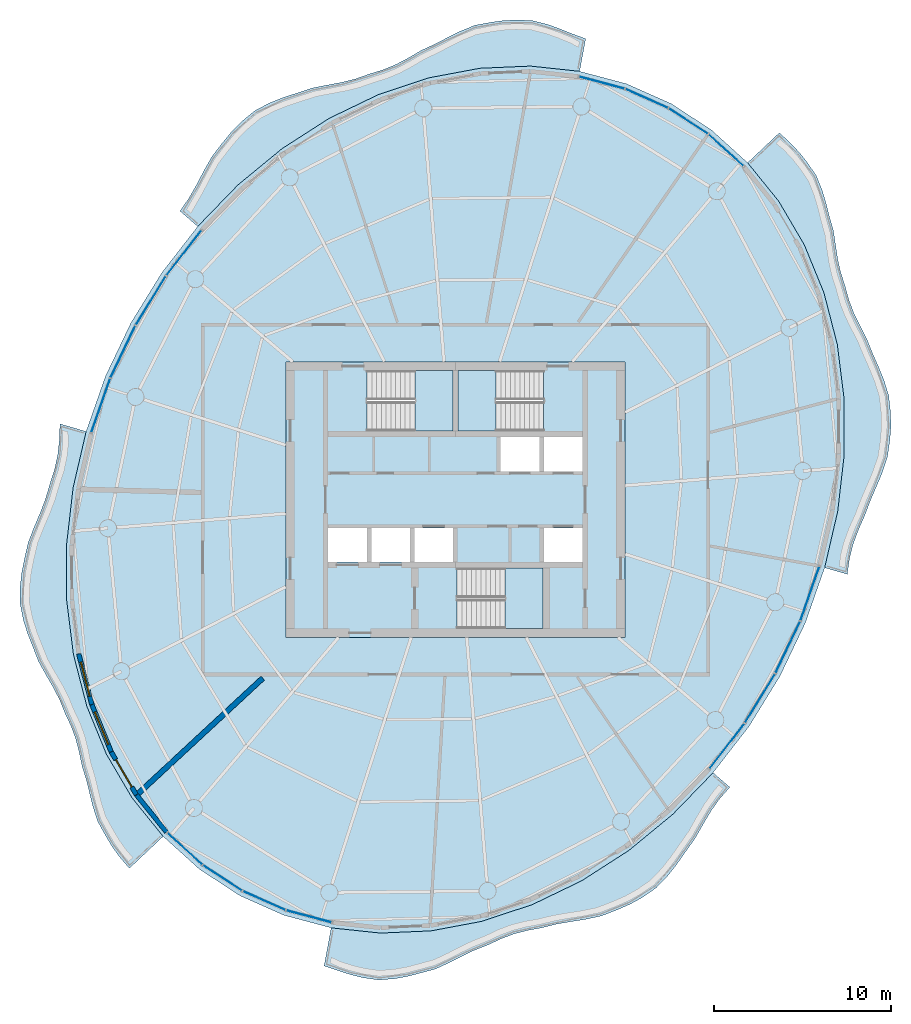
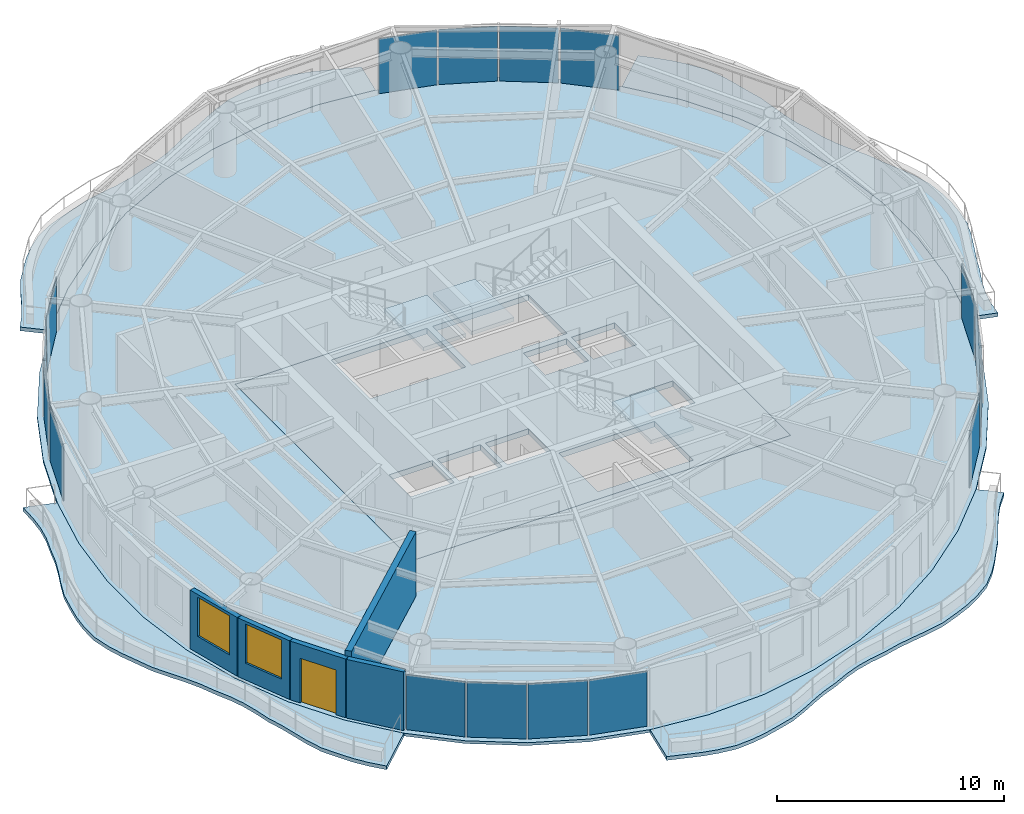
# One storey, part 6 of 13: 16 plates, 9 slabs, 5 walls, 2 windows, 1 door, 3 openings, 19 elements without a shape of their own.
"""IFC4 building model written with IfcOpenShell, lengths in metres."""

from ifc_helpers import new_model, si_unit, direction, frame, frame_2d, origin, origin_2d, place, context, subcontext, project, spatial, polyline, rectangle, outline, extrude, material, layer, layer_set, type_object, element, fill, aggregate, save


model = new_model("IFC4")

# Units and contexts
model_context = context("Model", 3, precision=1e-05, world=origin(), true_north=direction((0.0, 1.0)))
body_context = subcontext(model_context, "Body", "Model", "MODEL_VIEW")
ifc_project = project(units=[si_unit("LENGTHUNIT", "METRE"), si_unit("AREAUNIT", "SQUARE_METRE"), si_unit("VOLUMEUNIT", "CUBIC_METRE"), si_unit("PLANEANGLEUNIT", "RADIAN"), si_unit("MASSUNIT", "GRAM", prefix="KILO")], contexts=[model_context])

# Site, building, storey
site_placement = place(None, origin())
site = spatial("IfcSite", under=ifc_project, at=site_placement, CompositionType="ELEMENT")
building_placement = place(site_placement, origin())
building = spatial("IfcBuilding", under=site, at=building_placement, Name="Vermilion Reach Broadcast Tower", CompositionType="ELEMENT")
storey_placement = place(building_placement, frame((0.0, 0.0, 279.300048828125)))
storey = spatial("IfcBuildingStorey", under=building, at=storey_placement, Name="L69", CompositionType="ELEMENT", Elevation=279.300048828125)

# Slabs
ifc_material_1 = material(Name="Concrete C40/50", Category="concrete")
ifc_layer_1 = layer(ifc_material_1, 0.199951171875)
ifc_layer_set_1 = layer_set([ifc_layer_1], Name="Balcony slab 200")
slab_type_1 = type_object("IfcSlabType", Name="Balcony slab 200", PredefinedType="FLOOR", material=ifc_layer_set_1)
placement_1 = place(storey_placement, frame((0.0, 0.0, -0.199951171875)))
element("IfcSlab", 1, at=placement_1, inside=storey, type_object=slab_type_1, Name="Balcony slab L69 group 1", PredefinedType="FLOOR", context=body_context, shape_type="SweptSolid", body=[
    extrude(outline(polyline([(1.03125, 24.23974609375), (-1.7568359375, 24.53564453125), (-4.61767578125, 24.41162109375), (-7.502197265625, 23.8701171875), (-10.36083984375, 22.920166015625), (-13.14501953125, 21.577880859375), (-15.806884765625, 19.866455078125), (-18.301025390625, 17.815185546875), (-20.584716796875, 15.459228515625), (-21.587646484375, 16.329833984375), (-21.074462890625, 17.076171875), (-20.655029296875, 17.81201171875), (-20.25927734375, 18.57080078125), (-19.779541015625, 19.41943359375), (-19.197265625, 20.176025390625), (-18.67529296875, 20.812255859375), (-18.1064453125, 21.3916015625), (-17.364501953125, 22.003662109375), (-16.525390625, 22.447021484375), (-15.77734375, 22.746337890625), (-15.000244140625, 23.00048828125), (-14.10595703125, 23.294677734375), (-13.200927734375, 23.47314453125), (-12.414794921875, 23.62158203125), (-11.6494140625, 23.813232421875), (-10.839111328125, 24.099853515625), (-10.041259765625, 24.346435546875), (-9.344482421875, 24.637939453125), (-8.66943359375, 24.994384765625), (-7.90771484375, 25.437744140625), (-7.117919921875, 25.80029296875), (-6.43798828125, 26.15478515625), (-5.75634765625, 26.499755859375), (-4.8974609375, 26.845458984375), (-4.013671875, 27.012451171875), (-3.301513671875, 27.11181640625), (-2.58642578125, 27.14453125), (-1.67626953125, 27.118408203125), (-0.80078125, 26.90185546875), (-0.12158203125, 26.6591796875), (0.55419921875, 26.3857421875), (1.372802734375, 26.08447265625), (1.03125, 24.23974609375)])), origin(), (0.0, 0.0, 1.0), 0.199951171875),
])
element("IfcSlab", 2, at=placement_1, inside=storey, type_object=slab_type_1, Name="Balcony slab L69 group 2", PredefinedType="FLOOR", context=body_context, shape_type="SweptSolid", body=[
    extrude(outline(polyline([(-26.900390625, 3.85595703125), (-27.639404296875, 0.658935546875), (-28.008056640625, -2.54931640625), (-28.000244140625, -5.7138671875), (-27.615966796875, -8.780517578125), (-26.86181640625, -11.697021484375), (-25.750732421875, -14.41357421875), (-24.3017578125, -16.88330078125), (-22.53955078125, -19.064208984375), (-24.453857421875, -20.87255859375), (-25.040771484375, -20.18408203125), (-25.449462890625, -19.613037109375), (-25.810546875, -19.003662109375), (-26.24169921875, -18.22509765625), (-26.5244140625, -17.357421875), (-26.70068359375, -16.630859375), (-26.877685546875, -15.90478515625), (-27.12890625, -15.09521484375), (-27.3037109375, -14.256103515625), (-27.490966796875, -13.539794921875), (-27.7412109375, -12.849609375), (-28.090576171875, -12.105224609375), (-28.409423828125, -11.3193359375), (-28.762939453125, -10.6328125), (-29.155517578125, -9.95654296875), (-29.59765625, -9.1591796875), (-29.93505859375, -8.29248046875), (-30.223876953125, -7.5498046875), (-30.458740234375, -6.800537109375), (-30.643798828125, -5.882080078125), (-30.63623046875, -4.92919921875), (-30.5478515625, -4.1376953125), (-30.38916015625, -3.34619140625), (-30.1796875, -2.427490234375), (-29.83203125, -1.52685546875), (-29.501220703125, -0.75244140625), (-29.202392578125, 0.02587890625), (-28.952392578125, 0.885498046875), (-28.677978515625, 1.740966796875), (-28.506103515625, 2.543212890625), (-28.41845703125, 3.36474609375), (-28.383544921875, 4.28564453125), (-26.900390625, 3.85595703125)])), origin(), (0.0, 0.0, 1.0), 0.199951171875),
])
element("IfcSlab", 3, at=placement_1, inside=storey, type_object=slab_type_1, Name="Balcony slab L69 group 3", PredefinedType="FLOOR", context=body_context, shape_type="SweptSolid", body=[
    extrude(outline(polyline([(-13.03125, -24.23974609375), (-10.2431640625, -24.53564453125), (-7.38232421875, -24.41162109375), (-4.497802734375, -23.8701171875), (-1.63916015625, -22.920166015625), (1.14501953125, -21.577880859375), (3.806884765625, -19.866455078125), (6.301025390625, -17.815185546875), (8.584716796875, -15.459228515625), (9.530029296875, -16.27978515625), (8.9443359375, -16.949951171875), (8.4658203125, -17.628662109375), (8.03515625, -18.353515625), (7.5615234375, -19.182861328125), (7.012939453125, -19.95166015625), (6.533203125, -20.63916015625), (6.02392578125, -21.291015625), (5.352783203125, -21.9873046875), (4.57421875, -22.522705078125), (3.8798828125, -22.90576171875), (3.14453125, -23.224853515625), (2.259033203125, -23.56787109375), (1.340576171875, -23.762939453125), (0.54248046875, -23.886962890625), (-0.2490234375, -24.024169921875), (-1.10546875, -24.23681640625), (-1.94384765625, -24.390869140625), (-2.674072265625, -24.582275390625), (-3.38037109375, -24.844482421875), (-4.152587890625, -25.20458984375), (-4.9365234375, -25.50927734375), (-5.621337890625, -25.8388671875), (-6.3017578125, -26.190673828125), (-7.134033203125, -26.5712890625), (-7.995361328125, -26.802490234375), (-8.703857421875, -26.9873046875), (-9.414794921875, -27.117431640625), (-10.326171875, -27.191650390625), (-11.216552734375, -27.0654296875), (-11.903564453125, -26.8984375), (-12.585205078125, -26.67822265625), (-13.431396484375, -26.400634765625), (-13.03125, -24.23974609375)])), origin(), (0.0, 0.0, 1.0), 0.199951171875),
])
element("IfcSlab", 4, at=placement_1, inside=storey, type_object=slab_type_1, Name="Balcony slab L69 group 4", PredefinedType="FLOOR", context=body_context, shape_type="SweptSolid", body=[
    extrude(outline(polyline([(14.900390625, -3.85595703125), (15.639404296875, -0.658935546875), (16.008056640625, 2.54931640625), (16.000244140625, 5.7138671875), (15.615966796875, 8.780517578125), (14.86181640625, 11.697021484375), (13.750732421875, 14.41357421875), (12.3017578125, 16.88330078125), (10.53955078125, 19.064208984375), (12.341552734375, 20.766357421875), (12.992919921875, 20.1455078125), (13.47802734375, 19.63623046875), (13.912841796875, 19.08642578125), (14.41845703125, 18.347412109375), (14.76416015625, 17.498046875), (14.972412109375, 16.790283203125), (15.155029296875, 16.0673828125), (15.3955078125, 15.227294921875), (15.52734375, 14.347412109375), (15.64111328125, 13.601318359375), (15.802490234375, 12.87451171875), (16.055419921875, 12.093505859375), (16.275390625, 11.28466796875), (16.545166015625, 10.57666015625), (16.876953125, 9.884521484375), (17.282958984375, 9.09912109375), (17.62060546875, 8.2529296875), (17.94775390625, 7.515380859375), (18.251953125, 6.774658203125), (18.52880859375, 5.874755859375), (18.630126953125, 4.92919921875), (18.651123046875, 4.137939453125), (18.58984375, 3.3466796875), (18.454345703125, 2.412109375), (18.146240234375, 1.49072265625), (17.818359375, 0.7158203125), (17.483642578125, -0.058349609375), (17.16162109375, -0.92138671875), (16.788330078125, -1.766357421875), (16.50634765625, -2.543212890625), (16.308349609375, -3.33935546875), (16.179931640625, -4.2265625), (14.900390625, -3.85595703125)])), origin(), (0.0, 0.0, 1.0), 0.199951171875),
])
ifc_material_2 = material(Name="Concrete C40", Category="concrete")
ifc_layer_2 = layer(ifc_material_2, 0.300048828125)
ifc_layer_set_2 = layer_set([ifc_layer_2], Name="Core floor slab 300 mm Concrete C40")
slab_type_2 = type_object("IfcSlabType", Name="Core floor slab 300 mm Concrete C40", PredefinedType="FLOOR", material=ifc_layer_set_2)
slab_5_placement = place(storey_placement, frame((0.0, 0.0, -0.300048828125)))
element("IfcSlab", 5, at=slab_5_placement, inside=storey, type_object=slab_type_2, Name="L69 core floor", PredefinedType="FLOOR", context=body_context, shape_type="SweptSolid", body=[
    extrude(outline(polyline([(-15.60009765625, -7.800048828125), (3.60009765625, -7.800048828125), (3.60009765625, 7.800048828125), (-15.60009765625, 7.800048828125), (-15.60009765625, -7.800048828125)]), holes=[polyline([(-3.433349609375, 1.60009765625), (-1.24169921875, 1.60009765625), (-1.24169921875, 3.530029296875), (-3.433349609375, 3.530029296875), (-3.433349609375, 1.60009765625)]), polyline([(-0.99169921875, 1.60009765625), (1.199951171875, 1.60009765625), (1.199951171875, 3.530029296875), (-0.99169921875, 3.530029296875), (-0.99169921875, 1.60009765625)]), polyline([(-13.199951171875, -3.530029296875), (-11.00830078125, -3.530029296875), (-11.00830078125, -1.60009765625), (-13.199951171875, -1.60009765625), (-13.199951171875, -3.530029296875)]), polyline([(-10.75830078125, -3.530029296875), (-8.566650390625, -3.530029296875), (-8.566650390625, -1.60009765625), (-10.75830078125, -1.60009765625), (-10.75830078125, -3.530029296875)]), polyline([(-8.316650390625, -3.530029296875), (-6.125, -3.530029296875), (-6.125, -1.60009765625), (-8.316650390625, -1.60009765625), (-8.316650390625, -3.530029296875)]), polyline([(-0.99169921875, -3.530029296875), (1.199951171875, -3.530029296875), (1.199951171875, -1.60009765625), (-0.99169921875, -1.60009765625), (-0.99169921875, -3.530029296875)]), polyline([(-10.999267578125, 3.8798828125), (-6.14990234375, 3.8798828125), (-6.14990234375, 7.300048828125), (-10.999267578125, 7.300048828125), (-10.999267578125, 3.8798828125)]), polyline([(-1.000732421875, 7.300048828125), (-5.85009765625, 7.300048828125), (-5.85009765625, 3.8798828125), (-1.000732421875, 3.8798828125), (-1.000732421875, 7.300048828125)]), polyline([(-5.8994140625, -7.300048828125), (-1.050048828125, -7.300048828125), (-1.050048828125, -3.8798828125), (-5.8994140625, -3.8798828125), (-5.8994140625, -7.300048828125)])]), origin(), (0.0, 0.0, 1.0), 0.300048828125),
])

# Stair, slab
ifc_material_3 = material(Name="Concrete C40", Category="concrete")
stair_type = type_object("IfcStairType", Name="Exit stair RC 22 risers 164 mm", PredefinedType="HALF_TURN_STAIR", material=ifc_material_3)
placement_2 = place(storey_placement, origin())
stair_1 = element("IfcStair", 6, at=placement_2, inside=storey, type_object=stair_type, Name="L69 Exit stair ST1", PredefinedType="HALF_TURN_STAIR")
ifc_material_4 = material(Name="Concrete C40", Category="concrete")
ifc_layer_3 = layer(ifc_material_4, 0.199951171875)
ifc_layer_set_3 = layer_set([ifc_layer_3], Name="Exit stair landing Concrete C40")
slab_type_3 = type_object("IfcSlabType", Name="Exit stair landing Concrete C40", PredefinedType="LANDING", material=ifc_layer_set_3)
placement_3 = place(storey_placement, frame((0.0, 0.0, 1.599853515625)))
slab_6 = element("IfcSlab", 7, at=placement_3, type_object=slab_type_3, Name="ST1 landing 1", PredefinedType="LANDING", context=body_context, shape_type="SweptSolid", body=[
    extrude(outline(polyline([(-8.300048828125, 3.8798828125), (-6.14990234375, 3.8798828125), (-6.14990234375, 7.300048828125), (-8.300048828125, 7.300048828125), (-8.300048828125, 3.8798828125)])), origin(), (0.0, 0.0, 1.0), 0.2001953125),
])
aggregate(stair_1, [slab_6])

stair_2 = element("IfcStair", 8, at=placement_2, inside=storey, type_object=stair_type, Name="L69 Exit stair ST2", PredefinedType="HALF_TURN_STAIR")
slab_7 = element("IfcSlab", 9, at=placement_3, type_object=slab_type_3, Name="ST2 landing 1", PredefinedType="LANDING", context=body_context, shape_type="SweptSolid", body=[
    extrude(outline(polyline([(-3.699951171875, 7.300048828125), (-5.85009765625, 7.300048828125), (-5.85009765625, 3.8798828125), (-3.699951171875, 3.8798828125), (-3.699951171875, 7.300048828125)])), origin(), (0.0, 0.0, 1.0), 0.2001953125),
])
aggregate(stair_2, [slab_7])

stair_3 = element("IfcStair", 10, at=placement_2, inside=storey, type_object=stair_type, Name="L69 Exit stair ST3", PredefinedType="HALF_TURN_STAIR")
slab_8 = element("IfcSlab", 11, at=placement_3, type_object=slab_type_3, Name="ST3 landing 1", PredefinedType="LANDING", context=body_context, shape_type="SweptSolid", body=[
    extrude(outline(polyline([(-3.199951171875, -7.300048828125), (-1.050048828125, -7.300048828125), (-1.050048828125, -3.8798828125), (-3.199951171875, -3.8798828125), (-3.199951171875, -7.300048828125)])), origin(), (0.0, 0.0, 1.0), 0.2001953125),
])
aggregate(stair_3, [slab_8])

# Slab
ifc_material_5 = material(Name="Concrete C40", Category="concrete")
ifc_layer_4 = layer(ifc_material_5, 0.14990234375)
ifc_layer_set_4 = layer_set([ifc_layer_4], Name="Floor slab Concrete C40 composite 150")
slab_type_4 = type_object("IfcSlabType", Name="Floor slab Concrete C40 composite 150", PredefinedType="FLOOR", material=ifc_layer_set_4)
slab_9_placement = place(storey_placement, frame((0.0, 0.0, -0.150146484375)))
element("IfcSlab", 12, at=slab_9_placement, inside=storey, type_object=slab_type_4, Name="Floor slab L69", PredefinedType="FLOOR", context=body_context, shape_type="SweptSolid", body=[
    extrude(outline(polyline([(6.201171875, 22.415771484375), (3.69921875, 23.529052734375), (1.03125, 24.23974609375), (-1.7568359375, 24.53564453125), (-4.61767578125, 24.41162109375), (-7.502197265625, 23.8701171875), (-10.36083984375, 22.920166015625), (-13.14501953125, 21.577880859375), (-15.806884765625, 19.866455078125), (-18.301025390625, 17.815185546875), (-20.584716796875, 15.459228515625), (-22.61865234375, 12.83837890625), (-24.368408203125, 9.998291015625), (-25.803955078125, 6.98681640625), (-26.900390625, 3.85595703125), (-27.639404296875, 0.658935546875), (-28.008056640625, -2.54931640625), (-28.000244140625, -5.7138671875), (-27.615966796875, -8.780517578125), (-26.86181640625, -11.697021484375), (-25.750732421875, -14.41357421875), (-24.3017578125, -16.88330078125), (-22.53955078125, -19.064208984375), (-20.494384765625, -20.9189453125), (-18.201171875, -22.415771484375), (-15.69921875, -23.529052734375), (-13.03125, -24.23974609375), (-10.2431640625, -24.53564453125), (-7.38232421875, -24.41162109375), (-4.497802734375, -23.8701171875), (-1.63916015625, -22.920166015625), (1.14501953125, -21.577880859375), (3.806884765625, -19.866455078125), (6.301025390625, -17.815185546875), (8.584716796875, -15.459228515625), (10.61865234375, -12.83837890625), (12.368408203125, -9.998291015625), (13.803955078125, -6.98681640625), (14.900390625, -3.85595703125), (15.639404296875, -0.658935546875), (16.008056640625, 2.54931640625), (16.000244140625, 5.7138671875), (15.615966796875, 8.780517578125), (14.86181640625, 11.697021484375), (13.750732421875, 14.41357421875), (12.3017578125, 16.88330078125), (10.53955078125, 19.064208984375), (8.494384765625, 20.9189453125), (6.201171875, 22.415771484375)]), holes=[polyline([(-15.60009765625, -7.800048828125), (3.60009765625, -7.800048828125), (3.60009765625, 7.800048828125), (-15.60009765625, 7.800048828125), (-15.60009765625, -7.800048828125)])]), origin(), (0.0, 0.0, 1.0), 0.150146484375),
])

# Curtain wall, plate
ifc_material_6 = material(Name="Low-e laminated clear glass in aluminium frame", Category="aluminium")
curtain_wall_type = type_object("IfcCurtainWallType", Name="Slot curtain wall", PredefinedType="NOTDEFINED", material=ifc_material_6)
curtain_wall_1 = element("IfcCurtainWall", 13, at=placement_2, inside=storey, type_object=curtain_wall_type, Name="Slot curtain wall L69 46", PredefinedType="NOTDEFINED")
ifc_material_7 = material(Name="Low-e laminated clear glass", Category="glass")
ifc_layer_5 = layer(ifc_material_7, 0.028076171875)
ifc_layer_set_5 = layer_set([ifc_layer_5], Name="Slot glass panel")
plate_type = type_object("IfcPlateType", Name="Slot glass panel", PredefinedType="CURTAIN_PANEL", material=ifc_layer_set_5)
plate_1_placement = place(storey_placement, frame((9.316162109375, 19.77001953125, 0.0), z_axis=(0.0, 0.0, 1.0), x_axis=(-0.740751057529, 0.671779629618, 0.0)))
plate_1 = element("IfcPlate", 14, at=plate_1_placement, type_object=plate_type, Name="Slot glass panel L69 46", PredefinedType="CURTAIN_PANEL", context=body_context, shape_type="SweptSolid", body=[
    extrude(rectangle(XDim=2.634033203125, YDim=0.028076171875, at=origin_2d()), origin(), (0.0, 0.0, 1.0), 2.949951171875),
])
aggregate(curtain_wall_1, [plate_1])

curtain_wall_2 = element("IfcCurtainWall", 15, at=placement_2, inside=storey, type_object=curtain_wall_type, Name="Slot curtain wall L69 47", PredefinedType="NOTDEFINED")
plate_2_placement = place(storey_placement, frame((7.184326171875, 21.4169921875, 0.0), z_axis=(0.0, 0.0, 1.0), x_axis=(-0.837401637951, 0.546588050324, 0.0)))
plate_2 = element("IfcPlate", 16, at=plate_2_placement, type_object=plate_type, Name="Slot glass panel L69 47", PredefinedType="CURTAIN_PANEL", context=body_context, shape_type="SweptSolid", body=[
    extrude(rectangle(XDim=2.610595703125, YDim=0.028076171875, at=origin_2d()), origin(), (0.0, 0.0, 1.0), 2.949951171875),
])
aggregate(curtain_wall_2, [plate_2])

curtain_wall_3 = element("IfcCurtainWall", 17, at=placement_2, inside=storey, type_object=curtain_wall_type, Name="Slot curtain wall L69 00", PredefinedType="NOTDEFINED")
plate_3_placement = place(storey_placement, frame((4.82861328125, 22.69921875, 0.0), z_axis=(0.0, 0.0, 1.0), x_axis=(-0.913639511668, 0.406525328508, 0.0)))
plate_3 = element("IfcPlate", 18, at=plate_3_placement, type_object=plate_type, Name="Slot glass panel L69 00", PredefinedType="CURTAIN_PANEL", context=body_context, shape_type="SweptSolid", body=[
    extrude(rectangle(XDim=2.610595703125, YDim=0.028076171875, at=origin_2d()), origin(), (0.0, 0.0, 1.0), 2.949951171875),
])
aggregate(curtain_wall_3, [plate_3])

curtain_wall_4 = element("IfcCurtainWall", 19, at=placement_2, inside=storey, type_object=curtain_wall_type, Name="Slot curtain wall L69 01", PredefinedType="NOTDEFINED")
plate_4_placement = place(storey_placement, frame((2.2880859375, 23.595458984375, 0.0), z_axis=(0.0, 0.0, 1.0), x_axis=(-0.96630683971, 0.25739287389, 0.0)))
plate_4 = element("IfcPlate", 20, at=plate_4_placement, type_object=plate_type, Name="Slot glass panel L69 01", PredefinedType="CURTAIN_PANEL", context=body_context, shape_type="SweptSolid", body=[
    extrude(rectangle(XDim=2.634033203125, YDim=0.028076171875, at=origin_2d()), origin(), (0.0, 0.0, 1.0), 2.949951171875),
])
aggregate(curtain_wall_4, [plate_4])

curtain_wall_5 = element("IfcCurtainWall", 21, at=placement_2, inside=storey, type_object=curtain_wall_type, Name="Slot curtain wall L69 10", PredefinedType="NOTDEFINED")
plate_5_placement = place(storey_placement, frame((-21.365234375, 13.965087890625, 0.0), z_axis=(0.0, 0.0, 1.0), x_axis=(-0.613148838756, -0.789967405361, 0.0)))
plate_5 = element("IfcPlate", 22, at=plate_5_placement, type_object=plate_type, Name="Slot glass panel L69 10", PredefinedType="CURTAIN_PANEL", context=body_context, shape_type="SweptSolid", body=[
    extrude(rectangle(XDim=3.204833984375, YDim=0.028076171875, at=origin_2d()), origin(), (0.0, 0.0, 1.0), 2.949951171875),
])
aggregate(curtain_wall_5, [plate_5])

curtain_wall_6 = element("IfcCurtainWall", 23, at=placement_2, inside=storey, type_object=curtain_wall_type, Name="Slot curtain wall L69 11", PredefinedType="NOTDEFINED")
plate_6_placement = place(storey_placement, frame((-23.238525390625, 11.26123046875, 0.0), z_axis=(0.0, 0.0, 1.0), x_axis=(-0.524495806461, -0.851413030794, 0.0)))
plate_6 = element("IfcPlate", 24, at=plate_6_placement, type_object=plate_type, Name="Slot glass panel L69 11", PredefinedType="CURTAIN_PANEL", context=body_context, shape_type="SweptSolid", body=[
    extrude(rectangle(XDim=3.223876953125, YDim=0.028076171875, at=origin_2d()), origin(), (0.0, 0.0, 1.0), 2.949951171875),
])
aggregate(curtain_wall_6, [plate_6])

curtain_wall_7 = element("IfcCurtainWall", 25, at=placement_2, inside=storey, type_object=curtain_wall_type, Name="Slot curtain wall L69 12", PredefinedType="NOTDEFINED")
plate_7_placement = place(storey_placement, frame((-24.815673828125, 8.363525390625, 0.0), z_axis=(0.0, 0.0, 1.0), x_axis=(-0.430285486521, -0.902692860329, 0.0)))
plate_7 = element("IfcPlate", 26, at=plate_7_placement, type_object=plate_type, Name="Slot glass panel L69 12", PredefinedType="CURTAIN_PANEL", context=body_context, shape_type="SweptSolid", body=[
    extrude(rectangle(XDim=3.223876953125, YDim=0.028076171875, at=origin_2d()), origin(), (0.0, 0.0, 1.0), 2.949951171875),
])
aggregate(curtain_wall_7, [plate_7])

curtain_wall_8 = element("IfcCurtainWall", 27, at=placement_2, inside=storey, type_object=curtain_wall_type, Name="Slot curtain wall L69 13", PredefinedType="NOTDEFINED")
plate_8_placement = place(storey_placement, frame((-26.0693359375, 5.322265625, 0.0), z_axis=(0.0, 0.0, 1.0), x_axis=(-0.330555233119, -0.943786648484, 0.0)))
plate_8 = element("IfcPlate", 28, at=plate_8_placement, type_object=plate_type, Name="Slot glass panel L69 13", PredefinedType="CURTAIN_PANEL", context=body_context, shape_type="SweptSolid", body=[
    extrude(rectangle(XDim=3.204833984375, YDim=0.028076171875, at=origin_2d()), origin(), (0.0, 0.0, 1.0), 2.949951171875),
])
aggregate(curtain_wall_8, [plate_8])

curtain_wall_9 = element("IfcCurtainWall", 29, at=placement_2, inside=storey, type_object=curtain_wall_type, Name="Slot curtain wall L69 22", PredefinedType="NOTDEFINED")
plate_9_placement = place(storey_placement, frame((-21.316162109375, -19.77001953125, 0.0), z_axis=(0.0, 0.0, 1.0), x_axis=(0.740751057529, -0.671779629618, 0.0)))
plate_9 = element("IfcPlate", 30, at=plate_9_placement, type_object=plate_type, Name="Slot glass panel L69 22", PredefinedType="CURTAIN_PANEL", context=body_context, shape_type="SweptSolid", body=[
    extrude(rectangle(XDim=2.634033203125, YDim=0.028076171875, at=origin_2d()), origin(), (0.0, 0.0, 1.0), 2.949951171875),
])
aggregate(curtain_wall_9, [plate_9])

curtain_wall_10 = element("IfcCurtainWall", 31, at=placement_2, inside=storey, type_object=curtain_wall_type, Name="Slot curtain wall L69 23", PredefinedType="NOTDEFINED")
plate_10_placement = place(storey_placement, frame((-19.184326171875, -21.4169921875, 0.0), z_axis=(0.0, 0.0, 1.0), x_axis=(0.837401637951, -0.546588050324, 0.0)))
plate_10 = element("IfcPlate", 32, at=plate_10_placement, type_object=plate_type, Name="Slot glass panel L69 23", PredefinedType="CURTAIN_PANEL", context=body_context, shape_type="SweptSolid", body=[
    extrude(rectangle(XDim=2.610595703125, YDim=0.028076171875, at=origin_2d()), origin(), (0.0, 0.0, 1.0), 2.949951171875),
])
aggregate(curtain_wall_10, [plate_10])

curtain_wall_11 = element("IfcCurtainWall", 33, at=placement_2, inside=storey, type_object=curtain_wall_type, Name="Slot curtain wall L69 24", PredefinedType="NOTDEFINED")
plate_11_placement = place(storey_placement, frame((-16.82861328125, -22.69921875, 0.0), z_axis=(0.0, 0.0, 1.0), x_axis=(0.913639511668, -0.406525328508, 0.0)))
plate_11 = element("IfcPlate", 34, at=plate_11_placement, type_object=plate_type, Name="Slot glass panel L69 24", PredefinedType="CURTAIN_PANEL", context=body_context, shape_type="SweptSolid", body=[
    extrude(rectangle(XDim=2.610595703125, YDim=0.028076171875, at=origin_2d()), origin(), (0.0, 0.0, 1.0), 2.949951171875),
])
aggregate(curtain_wall_11, [plate_11])

curtain_wall_12 = element("IfcCurtainWall", 35, at=placement_2, inside=storey, type_object=curtain_wall_type, Name="Slot curtain wall L69 25", PredefinedType="NOTDEFINED")
plate_12_placement = place(storey_placement, frame((-14.2880859375, -23.595458984375, 0.0), z_axis=(0.0, 0.0, 1.0), x_axis=(0.96630683971, -0.25739287389, 0.0)))
plate_12 = element("IfcPlate", 36, at=plate_12_placement, type_object=plate_type, Name="Slot glass panel L69 25", PredefinedType="CURTAIN_PANEL", context=body_context, shape_type="SweptSolid", body=[
    extrude(rectangle(XDim=2.634033203125, YDim=0.028076171875, at=origin_2d()), origin(), (0.0, 0.0, 1.0), 2.949951171875),
])
aggregate(curtain_wall_12, [plate_12])

curtain_wall_13 = element("IfcCurtainWall", 37, at=placement_2, inside=storey, type_object=curtain_wall_type, Name="Slot curtain wall L69 34", PredefinedType="NOTDEFINED")
plate_13_placement = place(storey_placement, frame((9.365234375, -13.965087890625, 0.0), z_axis=(0.0, 0.0, 1.0), x_axis=(0.613148838756, 0.789967405361, 0.0)))
plate_13 = element("IfcPlate", 38, at=plate_13_placement, type_object=plate_type, Name="Slot glass panel L69 34", PredefinedType="CURTAIN_PANEL", context=body_context, shape_type="SweptSolid", body=[
    extrude(rectangle(XDim=3.204833984375, YDim=0.028076171875, at=origin_2d()), origin(), (0.0, 0.0, 1.0), 2.949951171875),
])
aggregate(curtain_wall_13, [plate_13])

curtain_wall_14 = element("IfcCurtainWall", 39, at=placement_2, inside=storey, type_object=curtain_wall_type, Name="Slot curtain wall L69 35", PredefinedType="NOTDEFINED")
plate_14_placement = place(storey_placement, frame((11.238525390625, -11.26123046875, 0.0), z_axis=(0.0, 0.0, 1.0), x_axis=(0.524495806461, 0.851413030794, 0.0)))
plate_14 = element("IfcPlate", 40, at=plate_14_placement, type_object=plate_type, Name="Slot glass panel L69 35", PredefinedType="CURTAIN_PANEL", context=body_context, shape_type="SweptSolid", body=[
    extrude(rectangle(XDim=3.223876953125, YDim=0.028076171875, at=origin_2d()), origin(), (0.0, 0.0, 1.0), 2.949951171875),
])
aggregate(curtain_wall_14, [plate_14])

curtain_wall_15 = element("IfcCurtainWall", 41, at=placement_2, inside=storey, type_object=curtain_wall_type, Name="Slot curtain wall L69 36", PredefinedType="NOTDEFINED")
plate_15_placement = place(storey_placement, frame((12.815673828125, -8.363525390625, 0.0), z_axis=(0.0, 0.0, 1.0), x_axis=(0.430285486521, 0.902692860329, 0.0)))
plate_15 = element("IfcPlate", 42, at=plate_15_placement, type_object=plate_type, Name="Slot glass panel L69 36", PredefinedType="CURTAIN_PANEL", context=body_context, shape_type="SweptSolid", body=[
    extrude(rectangle(XDim=3.223876953125, YDim=0.028076171875, at=origin_2d()), origin(), (0.0, 0.0, 1.0), 2.949951171875),
])
aggregate(curtain_wall_15, [plate_15])

curtain_wall_16 = element("IfcCurtainWall", 43, at=placement_2, inside=storey, type_object=curtain_wall_type, Name="Slot curtain wall L69 37", PredefinedType="NOTDEFINED")
plate_16_placement = place(storey_placement, frame((14.0693359375, -5.322265625, 0.0), z_axis=(0.0, 0.0, 1.0), x_axis=(0.330555233119, 0.943786648484, 0.0)))
plate_16 = element("IfcPlate", 44, at=plate_16_placement, type_object=plate_type, Name="Slot glass panel L69 37", PredefinedType="CURTAIN_PANEL", context=body_context, shape_type="SweptSolid", body=[
    extrude(rectangle(XDim=3.204833984375, YDim=0.028076171875, at=origin_2d()), origin(), (0.0, 0.0, 1.0), 2.949951171875),
])
aggregate(curtain_wall_16, [plate_16])

# Wall
ifc_material_8 = material(Name="Double-leaf plasterboard on isolated steel stud", Category="steel")
ifc_layer_6 = layer(ifc_material_8, 0.300048828125)
ifc_layer_set_6 = layer_set([ifc_layer_6], Name="Partition 300 acoustic double leaf")
wall_type_1 = type_object("IfcWallType", Name="Partition 300 acoustic double leaf", PredefinedType="PARTITIONING", material=ifc_layer_set_6)
wall_1_placement = place(storey_placement, frame((-23.951904296875, -16.641845703125, 0.0), z_axis=(0.0, 0.0, 1.0), x_axis=(0.733357987337, 0.679842674748, 0.0)))
element("IfcWall", 45, at=wall_1_placement, inside=storey, type_object=wall_type_1, Name="Partition 69.04", PredefinedType="PARTITIONING", context=body_context, shape_type="SweptSolid", body=[
    extrude(rectangle(XDim=9.607666015625, YDim=0.300048828125, at=frame_2d((4.8037109375, 0.0))), origin(), (0.0, 0.0, 1.0), 3.449951171875),
])

# Wall, opening, window
ifc_material_9 = material(Name="Terracotta rainscreen cladding", Category="masonry")
ifc_layer_7 = layer(ifc_material_9, 0.25)
ifc_layer_set_7 = layer_set([ifc_layer_7], Name="Terracotta rainscreen wall 250")
wall_type_2 = type_object("IfcWallType", Name="Terracotta rainscreen wall 250", PredefinedType="SOLIDWALL", material=ifc_layer_set_7)
wall_2_placement = place(storey_placement, frame((-27.318359375, -8.736083984375, 0.0), z_axis=(0.0, 0.0, 1.0), x_axis=(0.250378807835, -0.968147949741, 0.0)))
wall_2 = element("IfcWall", 46, at=wall_2_placement, inside=storey, type_object=wall_type_2, Name="External wall L69 18", PredefinedType="SOLIDWALL", context=body_context, shape_type="SweptSolid", body=[
    extrude(rectangle(XDim=2.94873046875, YDim=0.25, at=frame_2d((1.474365234375, 0.0))), origin(), (0.0, 0.0, 1.0), 3.14990234375),
])
opening_1_placement = place(wall_2_placement, frame((0.47412109375, 0.0, 0.89990234375)))
opening_1 = element("IfcOpeningElement", 47, at=opening_1_placement, cuts=wall_2, Name="Opening W03", PredefinedType="OPENING", context=body_context, shape_type="SweptSolid", body=[
    extrude(rectangle(XDim=2.0, YDim=2.10009765625, at=frame_2d((1.0, 1.050048828125))), frame((0.0, 0.135009765625, 0.0), z_axis=(0.0, -1.0, 0.0), x_axis=(1.0, 0.0, 0.0)), (0.0, 0.0, 1.0), 0.27001953125),
])
ifc_material_10 = material(Name="Low-e laminated clear glass in aluminium frame", Category="aluminium")
window_type = type_object("IfcWindowType", Name="Punched window 2000 x 2100 sill 900", PartitioningType="SINGLE_PANEL", PredefinedType="WINDOW", material=ifc_material_10)
window_1_placement = place(opening_1_placement, origin())
window_1 = element("IfcWindow", 48, at=window_1_placement, inside=storey, type_object=window_type, Name="Window L69 18", OverallHeight=2.10009765625, OverallWidth=2.0, PartitioningType="SINGLE_PANEL", PredefinedType="WINDOW", context=body_context, shape_type="SweptSolid", body=[
    extrude(rectangle(XDim=2.0, YDim=2.10009765625, at=frame_2d((1.0, 1.050048828125))), frame((0.0, 0.030029296875, 0.0), z_axis=(0.0, -1.0, 0.0), x_axis=(1.0, 0.0, 0.0)), (0.0, 0.0, 1.0), 0.06005859375),
])
fill(opening_1, window_1)

wall_3_placement = place(storey_placement, frame((-26.572265625, -11.6142578125, 0.0), z_axis=(0.0, 0.0, 1.0), x_axis=(0.378556607441, -0.925578140928, 0.0)))
wall_3 = element("IfcWall", 49, at=wall_3_placement, inside=storey, type_object=wall_type_2, Name="External wall L69 19", PredefinedType="SOLIDWALL", context=body_context, shape_type="SweptSolid", body=[
    extrude(rectangle(XDim=2.867919921875, YDim=0.25, at=frame_2d((1.43408203125, 0.0))), origin(), (0.0, 0.0, 1.0), 3.14990234375),
])
opening_2_placement = place(wall_3_placement, frame((0.433837890625, 0.0, 0.89990234375)))
opening_2 = element("IfcOpeningElement", 50, at=opening_2_placement, cuts=wall_3, Name="Opening W03", PredefinedType="OPENING", context=body_context, shape_type="SweptSolid", body=[
    extrude(rectangle(XDim=2.0, YDim=2.10009765625, at=frame_2d((1.0, 1.050048828125))), frame((0.0, 0.135009765625, 0.0), z_axis=(0.0, -1.0, 0.0), x_axis=(1.0, 0.0, 0.0)), (0.0, 0.0, 1.0), 0.27001953125),
])
window_2_placement = place(opening_2_placement, origin())
window_2 = element("IfcWindow", 51, at=window_2_placement, inside=storey, type_object=window_type, Name="Window L69 19", OverallHeight=2.10009765625, OverallWidth=2.0, PartitioningType="SINGLE_PANEL", PredefinedType="WINDOW", context=body_context, shape_type="SweptSolid", body=[
    extrude(rectangle(XDim=2.0, YDim=2.10009765625, at=frame_2d((1.0, 1.050048828125))), frame((0.0, 0.030029296875, 0.0), z_axis=(0.0, -1.0, 0.0), x_axis=(1.0, 0.0, 0.0)), (0.0, 0.0, 1.0), 0.06005859375),
])
fill(opening_2, window_2)

# Wall, opening, door
wall_4_placement = place(storey_placement, frame((-25.47509765625, -14.291748046875, 0.0), z_axis=(0.0, 0.0, 1.0), x_axis=(0.505988605638, -0.862540161943, 0.0)))
wall_4 = element("IfcWall", 52, at=wall_4_placement, inside=storey, type_object=wall_type_2, Name="External wall L69 20", PredefinedType="SOLIDWALL", context=body_context, shape_type="SweptSolid", body=[
    extrude(rectangle(XDim=2.793701171875, YDim=0.25, at=frame_2d((1.39697265625, 0.0))), origin(), (0.0, 0.0, 1.0), 3.14990234375),
])
opening_3_placement = place(wall_4_placement, frame((0.4970703125, 0.0, 0.0)))
opening_3 = element("IfcOpeningElement", 53, at=opening_3_placement, cuts=wall_4, Name="Opening D70", PredefinedType="OPENING", context=body_context, shape_type="SweptSolid", body=[
    extrude(rectangle(XDim=1.800048828125, YDim=2.39990234375, at=frame_2d((0.89990234375, 1.199951171875))), frame((0.0, 0.135009765625, 0.0), z_axis=(0.0, -1.0, 0.0), x_axis=(1.0, 0.0, 0.0)), (0.0, 0.0, 1.0), 0.27001953125),
])
ifc_material_11 = material(Name="Low-e laminated clear glass in aluminium frame", Category="aluminium")
door_type = type_object("IfcDoorType", Name="Balcony sliding door 1800 x 2400", OperationType="DOUBLE_DOOR_SLIDING", PredefinedType="DOOR", material=ifc_material_11)
door_placement = place(opening_3_placement, origin())
door = element("IfcDoor", 54, at=door_placement, inside=storey, type_object=door_type, Name="Balcony door L69 run 05", OperationType="DOUBLE_DOOR_SLIDING", OverallHeight=2.39990234375, OverallWidth=1.800048828125, PredefinedType="DOOR", context=body_context, shape_type="SweptSolid", body=[
    extrude(rectangle(XDim=1.800048828125, YDim=2.39990234375, at=frame_2d((0.89990234375, 1.199951171875))), frame((0.0, 0.02490234375, 0.0), z_axis=(0.0, -1.0, 0.0), x_axis=(1.0, 0.0, 0.0)), (0.0, 0.0, 1.0), 0.050048828125),
])
fill(opening_3, door)

# Wall
wall_5_placement = place(storey_placement, frame((-24.04638671875, -16.72314453125, 0.0), z_axis=(0.0, 0.0, 1.0), x_axis=(0.628406818234, -0.777884869885, 0.0)))
element("IfcWall", 55, at=wall_5_placement, inside=storey, type_object=wall_type_2, Name="External wall L69 21", PredefinedType="SOLIDWALL", context=body_context, shape_type="SweptSolid", body=[
    extrude(rectangle(XDim=2.68994140625, YDim=0.25, at=frame_2d((1.344970703125, 0.0))), origin(), (0.0, 0.0, 1.0), 3.14990234375),
])

save(model, "model.ifc")
